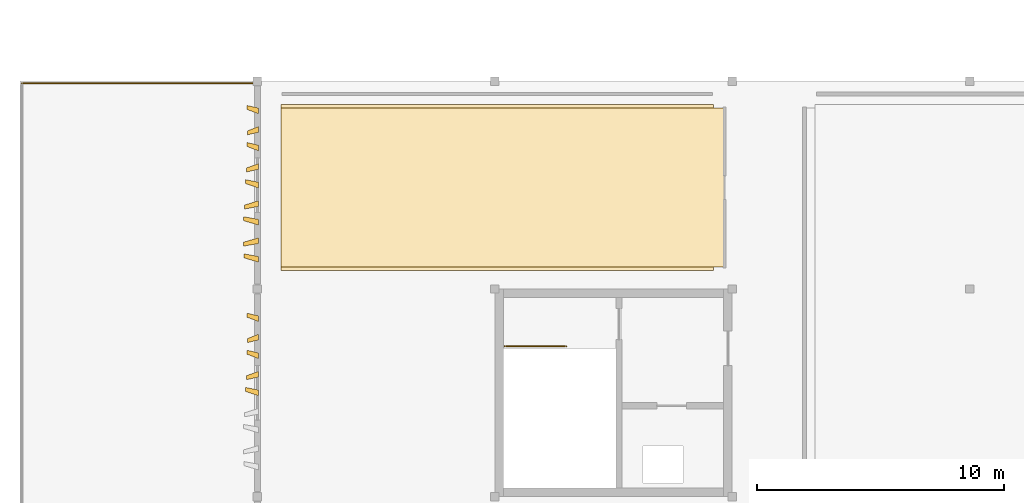
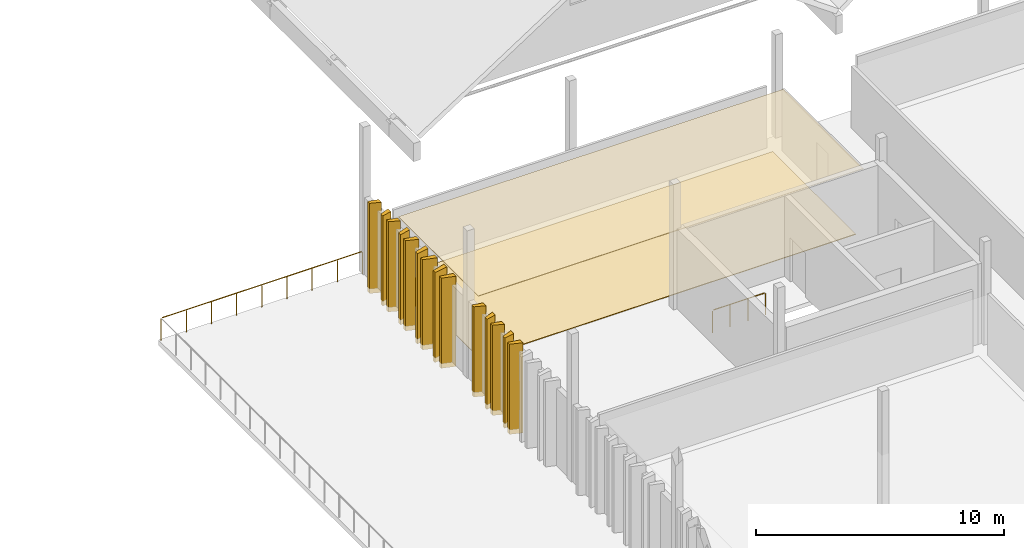
# One storey, part 41 of 42: 16 coverings, 2 railings.
"""IFC4 building model written with IfcOpenShell, lengths in metres."""

import ifcopenshell
import ifcopenshell.guid

model = None  # the IFC model being written
_history = None  # IfcOwnerHistory: only IFC2X3 demands one
_inside = {}  # id of a spatial element -> (the spatial element, [elements in it])
_under = {}  # id of a project, library or spatial element -> (it, [spatial elements below it])
_declared = {}  # id of a project -> (the project, [libraries it declares])
_typed = {}  # id of a type object -> (the type object, [elements of that type])
_made_of = {}  # id of a material, layer set ... -> (it, [elements and type objects made of it])


def new_model(schema):
    """Start an empty IFC model of exactly this schema.

    Asked for "IFC4X3", IfcOpenShell would pick the latest addendum, in which some entities
    have other attributes; the version numbers below select the first issue.
    IFC2X3 requires an IfcOwnerHistory on every rooted entity: one is made here for all.
    """
    global model, _history
    if schema == "IFC4X3":
        model = ifcopenshell.file(schema_version=(4, 3, 0, 0))
    else:
        model = ifcopenshell.file(schema=schema)
    _inside.clear()
    _under.clear()
    _declared.clear()
    _typed.clear()
    _made_of.clear()
    _history = None
    if model.schema == "IFC2X3":
        org = make("IfcOrganization", Name="unknown")
        user = make(
            "IfcPersonAndOrganization",
            ThePerson=make("IfcPerson", FamilyName="unknown"),
            TheOrganization=org,
        )
        app = make(
            "IfcApplication",
            ApplicationDeveloper=org,
            Version="unknown",
            ApplicationFullName="unknown",
            ApplicationIdentifier="unknown",
        )
        _history = make(
            "IfcOwnerHistory",
            OwningUser=user,
            OwningApplication=app,
            ChangeAction="ADDED",
            CreationDate=0,
        )
    return model


def make(cls, **values):
    """One entity of the class cls with the attributes given. An attribute that is None is left unset."""
    return model.create_entity(
        cls, **{name: value for name, value in values.items() if value is not None}
    )


def rooted(cls, **values):
    """An entity with a GlobalId (a new one), such as an element, a storey or a relation."""
    return make(cls, GlobalId=ifcopenshell.guid.new(), OwnerHistory=_history, **values)


def si_unit(unit_type, name, prefix=None):
    """IfcSIUnit, for example si_unit("LENGTHUNIT", "METRE", prefix="MILLI")."""
    return make("IfcSIUnit", UnitType=unit_type, Prefix=prefix, Name=name)


def assignment(units):
    """IfcUnitAssignment: the units of a project."""
    return None if units is None else make("IfcUnitAssignment", Units=units)


def point(xyz):
    """IfcCartesianPoint."""
    return None if xyz is None else make("IfcCartesianPoint", Coordinates=xyz)


def direction(xyz):
    """IfcDirection."""
    return None if xyz is None else make("IfcDirection", DirectionRatios=xyz)


def frame(location, z_axis=None, x_axis=None):
    """IfcAxis2Placement3D, a coordinate frame: its origin and axes. An axis left out is left unset."""
    return make(
        "IfcAxis2Placement3D",
        Location=point(location),
        Axis=direction(z_axis),
        RefDirection=direction(x_axis),
    )


def frame_2d(location, x_axis=None):
    """IfcAxis2Placement2D, a coordinate frame in the plane: its origin and x axis."""
    return make(
        "IfcAxis2Placement2D", Location=point(location), RefDirection=direction(x_axis)
    )


def origin():
    """The frame at (0, 0, 0) with its axes left unset."""
    return frame((0.0, 0.0, 0.0))


def origin_2d():
    """The frame at (0, 0) in the plane with its x axis left unset."""
    return frame_2d((0.0, 0.0))


def place(relative_to, where):
    """IfcLocalPlacement: puts the frame where relative to a parent placement (None: the world)."""
    return make(
        "IfcLocalPlacement", PlacementRelTo=relative_to, RelativePlacement=where
    )


def context(
    kind, dimensions, precision=None, world=None, true_north=None, identifier=None
):
    """IfcGeometricRepresentationContext, for example the 3D "Model" context."""
    return make(
        "IfcGeometricRepresentationContext",
        ContextIdentifier=identifier,
        ContextType=kind,
        CoordinateSpaceDimension=dimensions,
        Precision=precision,
        WorldCoordinateSystem=world,
        TrueNorth=true_north,
    )


def subcontext(parent, identifier, kind, view, scale=None):
    """IfcGeometricRepresentationSubContext, for example "Body" below "Model"."""
    return make(
        "IfcGeometricRepresentationSubContext",
        ContextIdentifier=identifier,
        ContextType=kind,
        ParentContext=parent,
        TargetScale=scale,
        TargetView=view,
    )


def project(units=None, contexts=None):
    """IfcProject with its units and contexts."""
    return rooted(
        "IfcProject",
        Name="project",
        RepresentationContexts=contexts,
        UnitsInContext=assignment(units),
    )


def spatial(cls, under=None, at=None, **own):
    """A site, building, storey or space (cls), placed at a placement, below another one or the project."""
    s = rooted(cls, ObjectPlacement=at, **own)
    if under is not None:
        _under.setdefault(under.id(), (under, []))[1].append(s)
    return s


def polyline(points):
    """IfcPolyline through the points."""
    return make("IfcPolyline", Points=[point(p) for p in points])


def profile(cls, at=None, kind="AREA", **sizes):
    """A parametric profile (cls). Its sizes go by their IFC names, for example OverallWidth=200.0."""
    return make(cls, ProfileType=kind, Position=at, **sizes)


def circle(**sizes):
    """IfcCircleProfileDef."""
    return profile("IfcCircleProfileDef", **sizes)


def outline(outer, holes=None, kind="AREA"):
    """IfcArbitraryClosedProfileDef: a profile drawn as a closed curve; with holes, ...WithVoids."""
    if holes is None:
        return make("IfcArbitraryClosedProfileDef", ProfileType=kind, OuterCurve=outer)
    return make(
        "IfcArbitraryProfileDefWithVoids",
        ProfileType=kind,
        OuterCurve=outer,
        InnerCurves=holes,
    )


def extrude(swept, where, along, depth):
    """IfcExtrudedAreaSolid: the profile swept, set in the frame where, extruded along a direction by depth."""
    return make(
        "IfcExtrudedAreaSolid",
        SweptArea=swept,
        Position=where,
        ExtrudedDirection=direction(along),
        Depth=depth,
    )


def shape(context_of_items, identifier, shape_type, items):
    """IfcShapeRepresentation: the items that make up one representation, for example the "Body"."""
    return make(
        "IfcShapeRepresentation",
        ContextOfItems=context_of_items,
        RepresentationIdentifier=identifier,
        RepresentationType=shape_type,
        Items=items,
    )


def material(Name=None, Category=None):
    """IfcMaterial."""
    return make("IfcMaterial", Name=Name, Category=Category)


def layer(
    of_material, thickness, ventilated=None, Name=None, Category=None, Priority=None
):
    """IfcMaterialLayer: one layer of a wall or slab, of a material (None: an air gap)."""
    return make(
        "IfcMaterialLayer",
        Material=of_material,
        LayerThickness=thickness,
        IsVentilated=ventilated,
        Name=Name,
        Category=Category,
        Priority=Priority,
    )


def layer_set(layers, Name=None):
    """IfcMaterialLayerSet."""
    return make("IfcMaterialLayerSet", MaterialLayers=layers, LayerSetName=Name)


def made_of(thing, what):
    """Note that an element or type object is made of a material, layer set ...; save() writes the relation."""
    if what is not None:
        _made_of.setdefault(what.id(), (what, []))[1].append(thing)
    return thing


def type_object(cls, material=None, **own):
    """A type object (cls), such as IfcWallType, which elements share."""
    return made_of(rooted(cls, **own), material)


def element(
    cls,
    number,
    at=None,
    inside=None,
    cuts=None,
    type_object=None,
    material=None,
    context=None,
    identifier="Body",
    shape_type=None,
    held_by="IfcProductDefinitionShape",
    body=None,
    shapes=None,
    **own,
):
    """One element of the class cls, such as IfcWall. Its Tag is "e" and its number.

    at: its placement. inside: the storey or other place that contains it. cuts: it is an
    opening in that element (IfcRelVoidsElement). A single representation is given by context,
    identifier, shape_type and body (its items); several are given by shapes. held_by: the class
    of the entity that holds the representations. save() writes the other relations.
    """
    e = rooted(cls, Tag="e%d" % number, ObjectPlacement=at, **own)
    if body is not None:
        shapes = [shape(context, identifier, shape_type, body)]
    if shapes is not None:
        e.Representation = make(held_by, Representations=shapes)
    if inside is not None:
        _inside.setdefault(inside.id(), (inside, []))[1].append(e)
    if cuts is not None:
        rooted(
            "IfcRelVoidsElement", RelatingBuildingElement=cuts, RelatedOpeningElement=e
        )
    if type_object is not None:
        _typed.setdefault(type_object.id(), (type_object, []))[1].append(e)
    return made_of(e, material)


def aggregate(whole, parts):
    """IfcRelAggregates: a whole, such as a stair, and the parts it consists of."""
    return rooted("IfcRelAggregates", RelatingObject=whole, RelatedObjects=parts)


def save(model, path):
    """Write the relations noted so far, then the file.

    IfcRelAggregates (storeys below a building ...), IfcRelContainedInSpatialStructure (elements
    in a storey), IfcRelDefinesByType, IfcRelAssociatesMaterial and IfcRelDeclares: one each for
    every whole, place, type object, material and project.
    """
    for whole, parts in _under.values():
        aggregate(whole, parts)
    for where, things in _inside.values():
        rooted(
            "IfcRelContainedInSpatialStructure",
            RelatedElements=things,
            RelatingStructure=where,
        )
    for kind, things in _typed.values():
        rooted("IfcRelDefinesByType", RelatedObjects=things, RelatingType=kind)
    for what, things in _made_of.values():
        rooted("IfcRelAssociatesMaterial", RelatedObjects=things, RelatingMaterial=what)
    for by, libraries in _declared.values():
        rooted("IfcRelDeclares", RelatingContext=by, RelatedDefinitions=libraries)
    model.write(path)


model = new_model("IFC4")

# Units and contexts
model_context = context("Model", 3, precision=1e-05, world=origin(), true_north=direction((0.0, 1.0)))
body_context = subcontext(model_context, "Body", "Model", "MODEL_VIEW")
ifc_project = project(units=[si_unit("LENGTHUNIT", "METRE"), si_unit("AREAUNIT", "SQUARE_METRE"), si_unit("VOLUMEUNIT", "CUBIC_METRE"), si_unit("PLANEANGLEUNIT", "RADIAN"), si_unit("MASSUNIT", "GRAM", prefix="KILO")], contexts=[model_context])

# Site, building, storey
site_placement = place(None, origin())
site = spatial("IfcSite", under=ifc_project, at=site_placement, CompositionType="ELEMENT")
building_placement = place(site_placement, origin())
building = spatial("IfcBuilding", under=site, at=building_placement, Name="Kolvemor Railside Polytechnic", CompositionType="ELEMENT")
storey_placement = place(building_placement, frame((0.0, 0.0, 14.39990234375)))
storey = spatial("IfcBuildingStorey", under=building, at=storey_placement, Name="L03", CompositionType="ELEMENT", Elevation=14.39990234375)

# Coverings
ifc_material_1 = material(Name="Perforated acoustic mineral-fibre and timber-slat ceiling", Category="wood")
ifc_layer_1 = layer(ifc_material_1, 0.034912109375, Name="COV-CEIL-3")
ifc_layer_set_1 = layer_set([ifc_layer_1], Name="Perforated acoustic mineral-fibre and timber-slat ceiling")
covering_type_1 = type_object("IfcCoveringType", Name="COV-CEIL-3", PredefinedType="CEILING", material=ifc_layer_set_1)
covering_1_placement = place(storey_placement, frame((0.0, 0.0, 2.9951171875)))
element("IfcCovering", 1, at=covering_1_placement, inside=storey, type_object=covering_type_1, Name="West Seminar Public and Accessible WC L03 Acoustic Ceiling", PredefinedType="CEILING", context=body_context, shape_type="SweptSolid", body=[
    extrude(outline(polyline([(10.550048828125, 69.280029296875), (28.47998046875, 69.280029296875), (28.47998046875, 75.719970703125), (10.550048828125, 75.719970703125), (10.550048828125, 69.280029296875)])), origin(), (0.0, 0.0, 1.0), 0.034912109375),
])
ifc_material_2 = material(Name="Sea-mist PVDF-anodised marine aluminium 5052-H32", Category="aluminium")
ifc_layer_2 = layer(ifc_material_2, 0.159912109375, Name="COV-FIN-MIST")
ifc_layer_set_2 = layer_set([ifc_layer_2], Name="Sea-mist PVDF-anodised marine aluminium 5052-H32")
covering_type_2 = type_object("IfcCoveringType", Name="COV-FIN-MIST", PredefinedType="CLADDING", material=ifc_layer_set_2)
covering_2_placement = place(storey_placement, frame((0.0, 0.0, -0.239990234375)))
element("IfcCovering", 2, at=covering_2_placement, inside=storey, type_object=covering_type_2, Name="Pleated Solar Fin L03-0232", PredefinedType="CLADDING", context=body_context, shape_type="SweptSolid", body=[
    extrude(outline(polyline([(9.635009765625, 64.0849609375), (9.635009765625, 64.31494140625), (9.114990234375, 64.419921875), (9.114990234375, 64.260009765625), (9.635009765625, 64.0849609375)])), origin(), (0.0, 0.0, 1.0), 4.440185546875),
])
covering_3_placement = place(storey_placement, frame((0.0, 0.0, -0.239990234375)))
element("IfcCovering", 3, at=covering_3_placement, inside=storey, type_object=covering_type_2, Name="Pleated Solar Fin L03-0233", PredefinedType="CLADDING", context=body_context, shape_type="SweptSolid", body=[
    extrude(outline(polyline([(9.635009765625, 64.8349609375), (9.635009765625, 65.06494140625), (9.157958984375, 64.889892578125), (9.157958984375, 64.72998046875), (9.635009765625, 64.8349609375)])), origin(), (0.0, 0.0, 1.0), 4.440185546875),
])
covering_4_placement = place(storey_placement, frame((0.0, 0.0, -0.239990234375)))
element("IfcCovering", 4, at=covering_4_placement, inside=storey, type_object=covering_type_2, Name="Pleated Solar Fin L03-0234", PredefinedType="CLADDING", context=body_context, shape_type="SweptSolid", body=[
    extrude(outline(polyline([(9.635009765625, 65.5849609375), (9.635009765625, 65.81494140625), (9.18701171875, 65.919921875), (9.18701171875, 65.760009765625), (9.635009765625, 65.5849609375)])), origin(), (0.0, 0.0, 1.0), 4.440185546875),
])
covering_5_placement = place(storey_placement, frame((0.0, 0.0, -0.239990234375)))
element("IfcCovering", 5, at=covering_5_placement, inside=storey, type_object=covering_type_2, Name="Pleated Solar Fin L03-0235", PredefinedType="CLADDING", context=body_context, shape_type="SweptSolid", body=[
    extrude(outline(polyline([(9.635009765625, 66.3349609375), (9.635009765625, 66.56494140625), (9.194091796875, 66.389892578125), (9.194091796875, 66.22998046875), (9.635009765625, 66.3349609375)])), origin(), (0.0, 0.0, 1.0), 4.440185546875),
])
covering_6_placement = place(storey_placement, frame((0.0, 0.0, -0.239990234375)))
element("IfcCovering", 6, at=covering_6_placement, inside=storey, type_object=covering_type_2, Name="Pleated Solar Fin L03-0236", PredefinedType="CLADDING", context=body_context, shape_type="SweptSolid", body=[
    extrude(outline(polyline([(9.635009765625, 67.0849609375), (9.635009765625, 67.31494140625), (9.177978515625, 67.419921875), (9.177978515625, 67.260009765625), (9.635009765625, 67.0849609375)])), origin(), (0.0, 0.0, 1.0), 4.440185546875),
])
covering_7_placement = place(storey_placement, frame((0.0, 0.0, -0.239990234375)))
element("IfcCovering", 7, at=covering_7_placement, inside=storey, type_object=covering_type_2, Name="Pleated Solar Fin L03-0253", PredefinedType="CLADDING", context=body_context, shape_type="SweptSolid", body=[
    extrude(outline(polyline([(9.635009765625, 69.485107421875), (9.635009765625, 69.715087890625), (9.052001953125, 69.820068359375), (9.052001953125, 69.659912109375), (9.635009765625, 69.485107421875)])), origin(), (0.0, 0.0, 1.0), 4.440185546875),
])
covering_8_placement = place(storey_placement, frame((0.0, 0.0, -0.239990234375)))
element("IfcCovering", 8, at=covering_8_placement, inside=storey, type_object=covering_type_2, Name="Pleated Solar Fin L03-0254", PredefinedType="CLADDING", context=body_context, shape_type="SweptSolid", body=[
    extrude(outline(polyline([(9.635009765625, 70.235107421875), (9.635009765625, 70.465087890625), (9.035888671875, 70.2900390625), (9.035888671875, 70.1298828125), (9.635009765625, 70.235107421875)])), origin(), (0.0, 0.0, 1.0), 4.440185546875),
])
covering_9_placement = place(storey_placement, frame((0.0, 0.0, -0.239990234375)))
element("IfcCovering", 9, at=covering_9_placement, inside=storey, type_object=covering_type_2, Name="Pleated Solar Fin L03-0255", PredefinedType="CLADDING", context=body_context, shape_type="SweptSolid", body=[
    extrude(outline(polyline([(9.635009765625, 70.985107421875), (9.635009765625, 71.215087890625), (9.04296875, 71.320068359375), (9.04296875, 71.159912109375), (9.635009765625, 70.985107421875)])), origin(), (0.0, 0.0, 1.0), 4.440185546875),
])
covering_10_placement = place(storey_placement, frame((0.0, 0.0, -0.239990234375)))
element("IfcCovering", 10, at=covering_10_placement, inside=storey, type_object=covering_type_2, Name="Pleated Solar Fin L03-0256", PredefinedType="CLADDING", context=body_context, shape_type="SweptSolid", body=[
    extrude(outline(polyline([(9.635009765625, 71.735107421875), (9.635009765625, 71.965087890625), (9.072021484375, 71.7900390625), (9.072021484375, 71.6298828125), (9.635009765625, 71.735107421875)])), origin(), (0.0, 0.0, 1.0), 4.440185546875),
])
covering_11_placement = place(storey_placement, frame((0.0, 0.0, -0.239990234375)))
element("IfcCovering", 11, at=covering_11_placement, inside=storey, type_object=covering_type_2, Name="Pleated Solar Fin L03-0257", PredefinedType="CLADDING", context=body_context, shape_type="SweptSolid", body=[
    extrude(outline(polyline([(9.635009765625, 72.485107421875), (9.635009765625, 72.715087890625), (9.114990234375, 72.820068359375), (9.114990234375, 72.659912109375), (9.635009765625, 72.485107421875)])), origin(), (0.0, 0.0, 1.0), 4.440185546875),
])
covering_12_placement = place(storey_placement, frame((0.0, 0.0, -0.239990234375)))
element("IfcCovering", 12, at=covering_12_placement, inside=storey, type_object=covering_type_2, Name="Pleated Solar Fin L03-0258", PredefinedType="CLADDING", context=body_context, shape_type="SweptSolid", body=[
    extrude(outline(polyline([(9.635009765625, 73.235107421875), (9.635009765625, 73.465087890625), (9.157958984375, 73.2900390625), (9.157958984375, 73.1298828125), (9.635009765625, 73.235107421875)])), origin(), (0.0, 0.0, 1.0), 4.440185546875),
])
covering_13_placement = place(storey_placement, frame((0.0, 0.0, -0.239990234375)))
element("IfcCovering", 13, at=covering_13_placement, inside=storey, type_object=covering_type_2, Name="Pleated Solar Fin L03-0259", PredefinedType="CLADDING", context=body_context, shape_type="SweptSolid", body=[
    extrude(outline(polyline([(9.635009765625, 73.985107421875), (9.635009765625, 74.215087890625), (9.18701171875, 74.320068359375), (9.18701171875, 74.159912109375), (9.635009765625, 73.985107421875)])), origin(), (0.0, 0.0, 1.0), 4.440185546875),
])
covering_14_placement = place(storey_placement, frame((0.0, 0.0, -0.239990234375)))
element("IfcCovering", 14, at=covering_14_placement, inside=storey, type_object=covering_type_2, Name="Pleated Solar Fin L03-0260", PredefinedType="CLADDING", context=body_context, shape_type="SweptSolid", body=[
    extrude(outline(polyline([(9.635009765625, 74.735107421875), (9.635009765625, 74.965087890625), (9.194091796875, 74.7900390625), (9.194091796875, 74.6298828125), (9.635009765625, 74.735107421875)])), origin(), (0.0, 0.0, 1.0), 4.440185546875),
])
covering_15_placement = place(storey_placement, frame((0.0, 0.0, -0.239990234375)))
element("IfcCovering", 15, at=covering_15_placement, inside=storey, type_object=covering_type_2, Name="Pleated Solar Fin L03-0261", PredefinedType="CLADDING", context=body_context, shape_type="SweptSolid", body=[
    extrude(outline(polyline([(9.635009765625, 75.485107421875), (9.635009765625, 75.715087890625), (9.177978515625, 75.820068359375), (9.177978515625, 75.659912109375), (9.635009765625, 75.485107421875)])), origin(), (0.0, 0.0, 1.0), 4.440185546875),
])
ifc_material_3 = material(Name="Polished coral-aggregate terrazzo and laboratory epoxy flooring")
ifc_layer_3 = layer(ifc_material_3, 0.030029296875, Name="COV-FLR-3")
ifc_layer_set_3 = layer_set([ifc_layer_3], Name="Polished coral-aggregate terrazzo and laboratory epoxy flooring")
covering_type_3 = type_object("IfcCoveringType", Name="COV-FLR-3", PredefinedType="FLOORING", material=ifc_layer_set_3)
covering_16_placement = place(storey_placement, origin())
element("IfcCovering", 16, at=covering_16_placement, inside=storey, type_object=covering_type_3, Name="West Seminar Public and Accessible WC L03 Floor Finish", PredefinedType="FLOORING", context=body_context, shape_type="SweptSolid", body=[
    extrude(outline(polyline([(10.550048828125, 69.14990234375), (28.050048828125, 69.14990234375), (28.050048828125, 75.85009765625), (10.550048828125, 75.85009765625), (10.550048828125, 69.14990234375)])), origin(), (0.0, 0.0, 1.0), 0.030029296875),
])

# Railings
ifc_material_4 = material(Name="AISI 316 marine stainless-steel balustrade guard", Category="steel")
railing_type = type_object("IfcRailingType", Name="RLG-GUARD-1120", PredefinedType="BALUSTRADE", material=ifc_material_4)
railing_1_placement = place(storey_placement, frame((9.4599609375, 76.719970703125, 0.0)))
element("IfcRailing", 17, at=railing_1_placement, inside=storey, type_object=railing_type, Name="Corner Study Terrace V3-W N Guard GR-058", PredefinedType="BALUSTRADE", context=body_context, shape_type="SweptSolid", body=[
    extrude(circle(Radius=0.02392578125, at=origin_2d()), frame((-0.054931640625, 0.0, 1.09619140625), z_axis=(-1.0, 0.0, 0.0), x_axis=(0.0, -1.0, 0.0)), (0.0, 0.0, 1.0), 9.269775390625),
    extrude(circle(Radius=0.02099609375, at=origin_2d()), origin(), (0.0, 0.0, 1.0), 1.05712890625),
    extrude(circle(Radius=0.02099609375, at=origin_2d()), frame((-1.17236328125, 0.0, 0.0)), (0.0, 0.0, 1.0), 1.05712890625),
    extrude(circle(Radius=0.02099609375, at=origin_2d()), frame((-2.344970703125, 0.0, 0.0)), (0.0, 0.0, 1.0), 1.05712890625),
    extrude(circle(Radius=0.02099609375, at=origin_2d()), frame((-3.517578125, 0.0, 0.0)), (0.0, 0.0, 1.0), 1.05712890625),
    extrude(circle(Radius=0.02099609375, at=origin_2d()), frame((-4.68994140625, 0.0, 0.0)), (0.0, 0.0, 1.0), 1.05712890625),
    extrude(circle(Radius=0.02099609375, at=origin_2d()), frame((-5.8623046875, 0.0, 0.0)), (0.0, 0.0, 1.0), 1.05712890625),
    extrude(circle(Radius=0.02099609375, at=origin_2d()), frame((-7.034912109375, 0.0, 0.0)), (0.0, 0.0, 1.0), 1.05712890625),
    extrude(circle(Radius=0.02099609375, at=origin_2d()), frame((-8.20751953125, 0.0, 0.0)), (0.0, 0.0, 1.0), 1.05712890625),
    extrude(circle(Radius=0.02099609375, at=origin_2d()), frame((-9.3798828125, 0.0, 0.0)), (0.0, 0.0, 1.0), 1.05712890625),
])
railing_2_placement = place(storey_placement, frame((19.60009765625, 66.080078125, 0.0)))
element("IfcRailing", 18, at=railing_2_placement, inside=storey, type_object=railing_type, Name="ST-5 Top Well Guard L03", PredefinedType="BALUSTRADE", context=body_context, shape_type="SweptSolid", body=[
    extrude(circle(Radius=0.02392578125, at=origin_2d()), frame((0.054931640625, 0.0, 1.09619140625), z_axis=(1.0, 0.0, 0.0), x_axis=(0.0, 1.0, 0.0)), (0.0, 0.0, 1.0), 2.369873046875),
    extrude(circle(Radius=0.02099609375, at=origin_2d()), origin(), (0.0, 0.0, 1.0), 1.05712890625),
    extrude(circle(Radius=0.02099609375, at=origin_2d()), frame((0.82666015625, 0.0, 0.0)), (0.0, 0.0, 1.0), 1.05712890625),
    extrude(circle(Radius=0.02099609375, at=origin_2d()), frame((1.6533203125, 0.0, 0.0)), (0.0, 0.0, 1.0), 1.05712890625),
    extrude(circle(Radius=0.02099609375, at=origin_2d()), frame((2.47998046875, 0.0, 0.0)), (0.0, 0.0, 1.0), 1.05712890625),
])

save(model, "model.ifc")
